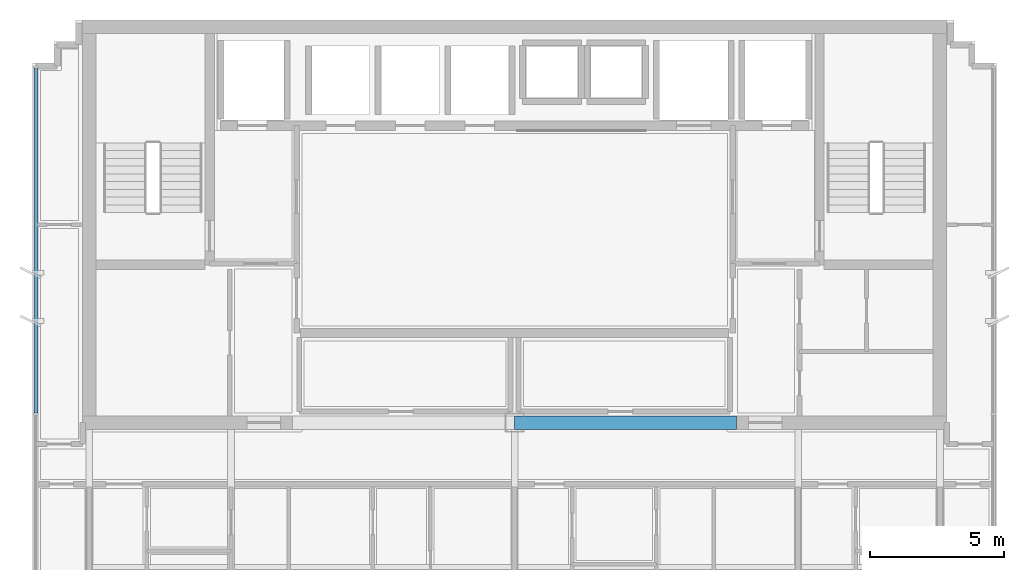
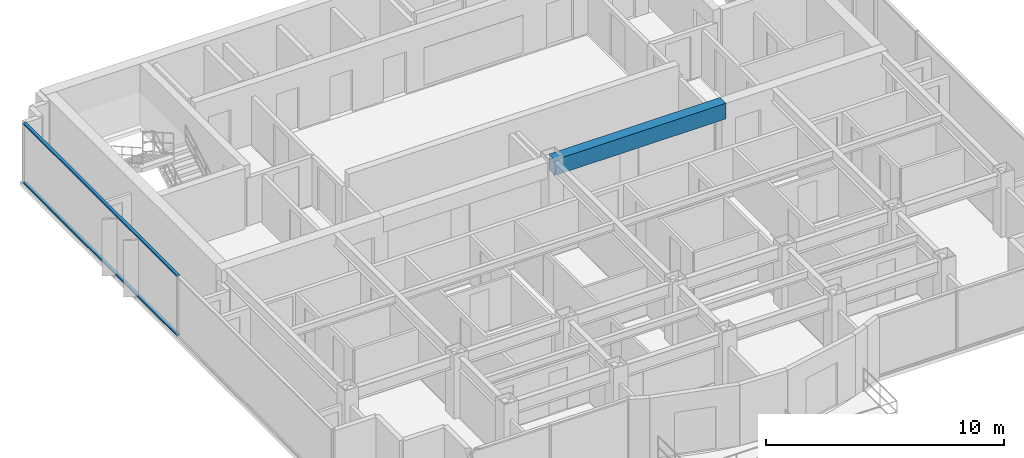
# One storey, part 2 of 11: 2 members, 1 beam, 1 element without a shape of its own.
"""IFC4 building model written with IfcOpenShell, lengths in metres."""

from ifc_helpers import new_model, si_unit, direction, frame, origin, origin_2d, place, context, subcontext, project, spatial, rectangle, extrude, source, transform, mapped, material, layer, layer_set, material_profile, profile_set, type_object, element, aggregate, save


model = new_model("IFC4")

# Units and contexts
model_context = context("Model", 3, precision=1e-05, world=origin(), true_north=direction((0.0, 1.0)))
body_context = subcontext(model_context, "Body", "Model", "MODEL_VIEW")
ifc_project = project(units=[si_unit("LENGTHUNIT", "METRE"), si_unit("AREAUNIT", "SQUARE_METRE"), si_unit("VOLUMEUNIT", "CUBIC_METRE"), si_unit("PLANEANGLEUNIT", "RADIAN"), si_unit("MASSUNIT", "GRAM", prefix="KILO")], contexts=[model_context])

# Site, building, storey
site_placement = place(None, origin())
site = spatial("IfcSite", under=ifc_project, at=site_placement, CompositionType="ELEMENT")
building_placement = place(site_placement, origin())
building = spatial("IfcBuilding", under=site, at=building_placement, Name="Qianlan Lanfeng Residences", CompositionType="ELEMENT")
storey_placement = place(building_placement, frame((0.0, 0.0, 256.10009765625)))
storey = spatial("IfcBuildingStorey", under=building, at=storey_placement, Name="L71", CompositionType="ELEMENT", Elevation=256.10009765625)

# Beam
ifc_material_1 = material(Name="Concrete C49", Category="concrete")
ifc_material_profile_1 = material_profile(ifc_material_1, rectangle(XDim=0.5, YDim=0.800048828125, at=origin_2d()), Name="RC 500x800")
ifc_profile_set_1 = profile_set([ifc_material_profile_1], Name="Concrete C49")
beam_type = type_object("IfcBeamType", Name="LB-RC750", PredefinedType="BEAM", material=ifc_profile_set_1)
beam_placement = place(storey_placement, frame((26.5, 25.199951171875, 2.7099609375), z_axis=(1.0, 0.0, 0.0), x_axis=(0.0, 1.0, 0.0)))
element("IfcBeam", 1, at=beam_placement, inside=storey, type_object=beam_type, Name="L71 Core Coupling Beam E", PredefinedType="BEAM", context=body_context, shape_type="SweptSolid", body=[
    extrude(rectangle(XDim=0.5, YDim=0.800048828125, at=origin_2d()), origin(), (0.0, 0.0, 1.0), 8.300048828125),
])

# Curtain wall, members
ifc_material_2 = material(Name="Anodised Bronze Aluminium 6063-T6", Category="aluminium")
ifc_layer = layer(ifc_material_2, 0.219970703125)
ifc_layer_set = layer_set([ifc_layer], Name="Anodised Bronze Aluminium 6063-T6")
curtain_wall_type = type_object("IfcCurtainWallType", Name="CW-06", PredefinedType="NOTDEFINED", material=ifc_layer_set)
curtain_wall_placement = place(storey_placement, origin())
curtain_wall = element("IfcCurtainWall", 2, at=curtain_wall_placement, inside=storey, type_object=curtain_wall_type, Name="L71 Unitised Curtain Wall CWR-L71-04 (CW-06)", PredefinedType="NOTDEFINED")
ifc_material_profile_2 = material_profile(ifc_material_2, rectangle(XDim=0.074951171875, YDim=0.14990234375, at=origin_2d()), Name="ALU TRANSOM 75x150")
ifc_profile_set_2 = profile_set([ifc_material_profile_2], Name="Anodised Bronze Aluminium 6063-T6")
member_type = type_object("IfcMemberType", Name="CWT-150", PredefinedType="USERDEFINED", material=ifc_profile_set_2)
shared_shape = source(origin(), body_context, "Body", "SweptSolid", [
    extrude(rectangle(XDim=0.074951171875, YDim=0.14990234375, at=origin_2d()), origin(), (0.0, 0.0, 1.0), 12.892578125),
])
member_1_placement = place(storey_placement, frame((8.60009765625, 38.455078125, 0.037353515625), z_axis=(0.0, -1.0, 0.0), x_axis=(0.0, 0.0, 1.0)))
member_1 = element("IfcMember", 3, at=member_1_placement, type_object=member_type, Name="CWR-L71-04 Transom 1-BOT", ObjectType="TRANSOM", PredefinedType="USERDEFINED", context=body_context, shape_type="MappedRepresentation", body=[
    mapped(shared_shape, transform((0.0, 0.0, 0.0), scale=1.0)),
])
member_2_placement = place(storey_placement, frame((8.60009765625, 38.455078125, 3.072509765625), z_axis=(0.0, -1.0, 0.0), x_axis=(0.0, 0.0, 1.0)))
member_2 = element("IfcMember", 4, at=member_2_placement, type_object=member_type, Name="CWR-L71-04 Transom 1-TOP", ObjectType="TRANSOM", PredefinedType="USERDEFINED", context=body_context, shape_type="MappedRepresentation", body=[
    mapped(shared_shape, transform((0.0, 0.0, 0.0), scale=1.0)),
])
aggregate(curtain_wall, [member_1, member_2])

save(model, "model.ifc")
